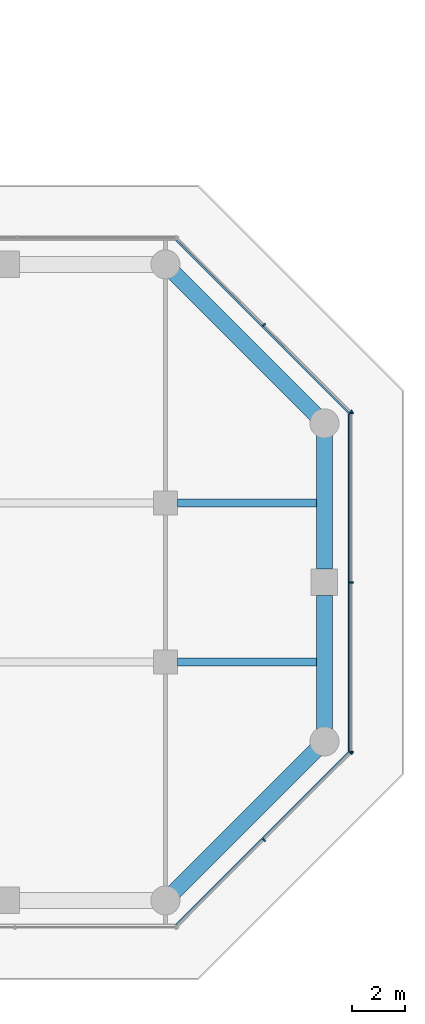
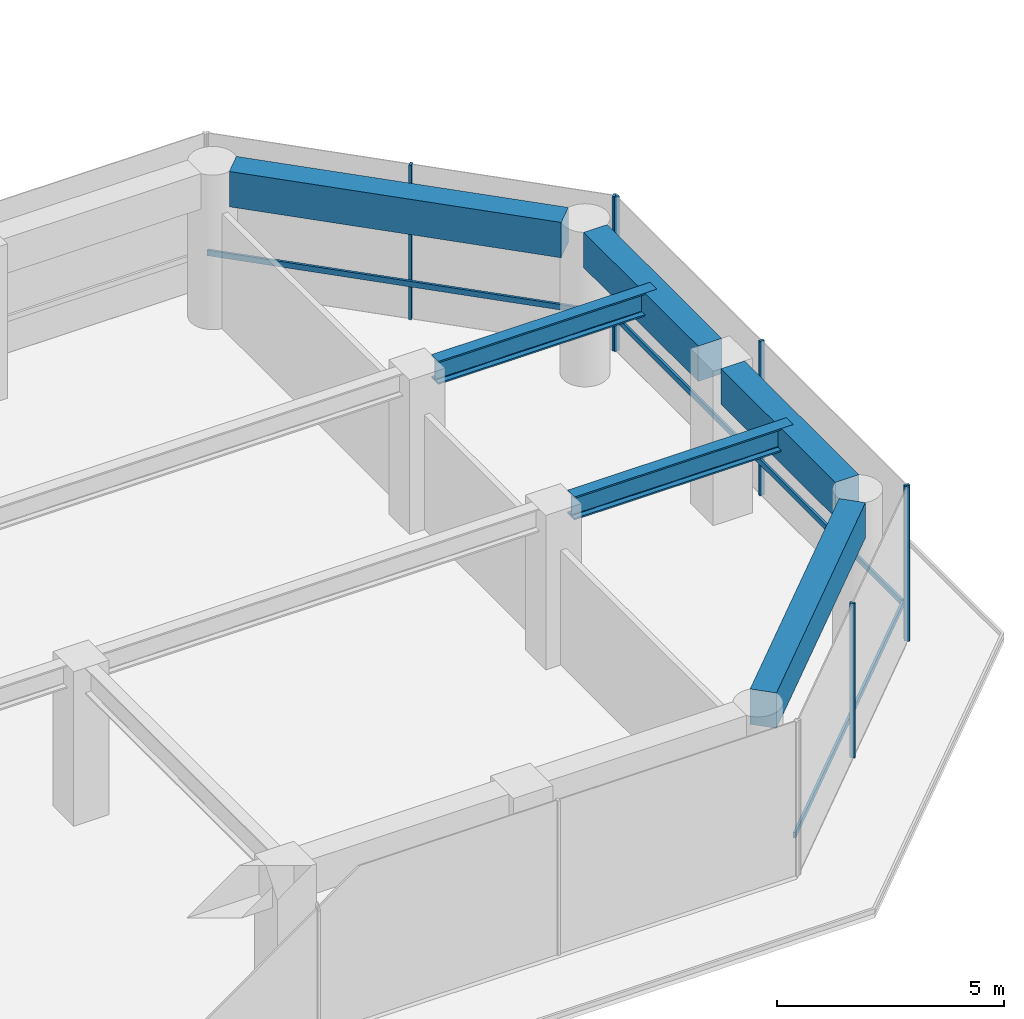
# One storey, part 18 of 24: 10 members, 6 beams, 3 elements without a shape of their own.
"""IFC4 building model written with IfcOpenShell, lengths in metres."""

from ifc_helpers import new_model, si_unit, direction, frame, origin, origin_2d, place, context, subcontext, project, spatial, rectangle, i_section, extrude, material, layer, layer_set, material_profile, profile_set, type_object, element, aggregate, save


model = new_model("IFC4")

# Units and contexts
model_context = context("Model", 3, precision=1e-05, world=origin(), true_north=direction((0.0, 1.0)))
body_context = subcontext(model_context, "Body", "Model", "MODEL_VIEW")
ifc_project = project(units=[si_unit("LENGTHUNIT", "METRE"), si_unit("AREAUNIT", "SQUARE_METRE"), si_unit("VOLUMEUNIT", "CUBIC_METRE"), si_unit("PLANEANGLEUNIT", "RADIAN"), si_unit("MASSUNIT", "GRAM", prefix="KILO")], contexts=[model_context])

# Site, building, storey
site_placement = place(None, origin())
site = spatial("IfcSite", under=ifc_project, at=site_placement, CompositionType="ELEMENT")
building_placement = place(site_placement, origin())
building = spatial("IfcBuilding", under=site, at=building_placement, Name="Welwitschia Terrace Campus", CompositionType="ELEMENT")
storey_placement = place(building_placement, frame((0.0, 0.0, 24.5)))
storey = spatial("IfcBuildingStorey", under=building, at=storey_placement, Name="L05", CompositionType="ELEMENT", Elevation=24.5)

# Beams
ifc_material_1 = material(Name="Steel S355", Category="steel")
ifc_material_profile_1 = material_profile(ifc_material_1, i_section(OverallWidth=0.304931640625, OverallDepth=0.6201171875, WebThickness=0.02099609375, FlangeThickness=0.0400390625, FilletRadius=0.027099609375, at=origin_2d()))
ifc_profile_set_1 = profile_set([ifc_material_profile_1], Name="Steel S355")
beam_type_1 = type_object("IfcBeamType", Name="Interior girder HE 600 M", PredefinedType="BEAM", material=ifc_profile_set_1)
for number, where, z_axis, x_axis, name in (
    (1, (60.450439453125, 5.0, 3.840087890625), (1.0, 0.0, 0.0), (0.0, 1.0, 0.0), "Girder GB1"),
    (2, (60.450439453125, 11.0, 3.840087890625), (1.0, 0.0, 0.0), (0.0, 1.0, 0.0), "Girder GB1"),
):
    element("IfcBeam", number, at=place(storey_placement, frame(where, z_axis=z_axis, x_axis=x_axis)), inside=storey, type_object=beam_type_1, Name=name, PredefinedType="BEAM", context=body_context, shape_type="SweptSolid", body=[
        extrude(i_section(OverallWidth=0.304931640625, OverallDepth=0.6201171875, WebThickness=0.02099609375, FlangeThickness=0.0400390625, FilletRadius=0.027099609375, at=origin_2d()), origin(), (0.0, 0.0, 1.0), 5.5595703125),
    ])

# Curtain wall, members
ifc_material_2 = material(Name="Bronze anodised aluminium", Category="aluminium")
ifc_layer = layer(ifc_material_2, 0.1201171875)
ifc_layer_set = layer_set([ifc_layer], Name="Bronze anodised aluminium")
curtain_wall_type = type_object("IfcCurtainWallType", Name="Curtain wall CW2 tower 6000", PredefinedType="NOTDEFINED", material=ifc_layer_set)
curtain_wall_1_placement = place(storey_placement, origin())
curtain_wall_1 = element("IfcCurtainWall", 3, at=curtain_wall_1_placement, inside=storey, type_object=curtain_wall_type, Name="CW L05.2.0", PredefinedType="NOTDEFINED")
ifc_material_3 = material(Name="Bronze anodised aluminium", Category="aluminium")
ifc_material_profile_2 = material_profile(ifc_material_3, rectangle(XDim=0.1201171875, YDim=0.06005859375, at=origin_2d()))
ifc_profile_set_2 = profile_set([ifc_material_profile_2], Name="Bronze anodised aluminium")
member_type_1 = type_object("IfcMemberType", Name="Mullion 60x120", PredefinedType="MULLION", material=ifc_profile_set_2)
member_1_placement = place(storey_placement, frame((63.72119140625, -1.72119140625, 0.0), z_axis=(0.0, 0.0, 1.0), x_axis=(-0.707106781187, 0.707106781187, 0.0)))
member_1 = element("IfcMember", 4, at=member_1_placement, type_object=member_type_1, Name="Mullion L05.2.0.1", PredefinedType="MULLION", context=body_context, shape_type="SweptSolid", body=[
    extrude(rectangle(XDim=0.1201171875, YDim=0.06005859375, at=origin_2d()), origin(), (0.0, 0.0, 1.0), 4.14990234375),
])
member_2_placement = place(storey_placement, frame((66.998779296875, 1.556396484375, 0.0), z_axis=(0.0, 0.0, 1.0), x_axis=(-0.707106781187, 0.707106781187, 0.0)))
member_2 = element("IfcMember", 5, at=member_2_placement, type_object=member_type_1, Name="Mullion L05.2.0.2", PredefinedType="MULLION", context=body_context, shape_type="SweptSolid", body=[
    extrude(rectangle(XDim=0.1201171875, YDim=0.06005859375, at=origin_2d()), origin(), (0.0, 0.0, 1.0), 4.14990234375),
])

curtain_wall_2_placement = place(storey_placement, origin())
curtain_wall_2 = element("IfcCurtainWall", 6, at=curtain_wall_2_placement, inside=storey, type_object=curtain_wall_type, Name="CW L05.3.0", PredefinedType="NOTDEFINED")
member_3_placement = place(storey_placement, frame((67.02001953125, 1.607421875, 0.0), z_axis=(0.0, 0.0, 1.0), x_axis=(-1.0, 0.0, 0.0)))
member_3 = element("IfcMember", 7, at=member_3_placement, type_object=member_type_1, Name="Mullion L05.3.0.0", PredefinedType="MULLION", context=body_context, shape_type="SweptSolid", body=[
    extrude(rectangle(XDim=0.1201171875, YDim=0.06005859375, at=origin_2d()), origin(), (0.0, 0.0, 1.0), 4.14990234375),
])
member_4_placement = place(storey_placement, frame((67.02001953125, 8.0, 0.0), z_axis=(0.0, 0.0, 1.0), x_axis=(-1.0, 0.0, 0.0)))
member_4 = element("IfcMember", 8, at=member_4_placement, type_object=member_type_1, Name="Mullion L05.3.0.1", PredefinedType="MULLION", context=body_context, shape_type="SweptSolid", body=[
    extrude(rectangle(XDim=0.1201171875, YDim=0.06005859375, at=origin_2d()), origin(), (0.0, 0.0, 1.0), 4.14990234375),
])
member_5_placement = place(storey_placement, frame((67.02001953125, 14.392578125, 0.0), z_axis=(0.0, 0.0, 1.0), x_axis=(-1.0, 0.0, 0.0)))
member_5 = element("IfcMember", 9, at=member_5_placement, type_object=member_type_1, Name="Mullion L05.3.0.2", PredefinedType="MULLION", context=body_context, shape_type="SweptSolid", body=[
    extrude(rectangle(XDim=0.1201171875, YDim=0.06005859375, at=origin_2d()), origin(), (0.0, 0.0, 1.0), 4.14990234375),
])

curtain_wall_3_placement = place(storey_placement, origin())
curtain_wall_3 = element("IfcCurtainWall", 10, at=curtain_wall_3_placement, inside=storey, type_object=curtain_wall_type, Name="CW L05.4.0", PredefinedType="NOTDEFINED")
member_6_placement = place(storey_placement, frame((66.998779296875, 14.443603515625, 0.0), z_axis=(0.0, 0.0, 1.0), x_axis=(-0.707106781187, -0.707106781187, 0.0)))
member_6 = element("IfcMember", 11, at=member_6_placement, type_object=member_type_1, Name="Mullion L05.4.0.0", PredefinedType="MULLION", context=body_context, shape_type="SweptSolid", body=[
    extrude(rectangle(XDim=0.1201171875, YDim=0.06005859375, at=origin_2d()), origin(), (0.0, 0.0, 1.0), 4.14990234375),
])
member_7_placement = place(storey_placement, frame((63.72119140625, 17.72119140625, 0.0), z_axis=(0.0, 0.0, 1.0), x_axis=(-0.707106781187, -0.707106781187, 0.0)))
member_7 = element("IfcMember", 12, at=member_7_placement, type_object=member_type_1, Name="Mullion L05.4.0.1", PredefinedType="MULLION", context=body_context, shape_type="SweptSolid", body=[
    extrude(rectangle(XDim=0.1201171875, YDim=0.06005859375, at=origin_2d()), origin(), (0.0, 0.0, 1.0), 4.14990234375),
])

# Beams
ifc_material_4 = material(Name="Concrete C60/75", Category="concrete")
ifc_material_profile_3 = material_profile(ifc_material_4, rectangle(XDim=0.60009765625, YDim=0.949951171875, at=origin_2d()))
ifc_profile_set_3 = profile_set([ifc_material_profile_3], Name="Concrete C60/75")
beam_type_2 = type_object("IfcBeamType", Name="Ring spandrel 600x950", PredefinedType="SPANDREL", material=ifc_profile_set_3)
beam_1_placement = place(storey_placement, frame((60.326416015625, -3.673583984375, 3.675048828125), z_axis=(0.707106781187, 0.707106781187, 0.0), x_axis=(-0.707106781187, 0.707106781187, 0.0)))
element("IfcBeam", 13, at=beam_1_placement, inside=storey, type_object=beam_type_2, Name="Spandrel SP1", PredefinedType="SPANDREL", context=body_context, shape_type="SweptSolid", body=[
    extrude(rectangle(XDim=0.60009765625, YDim=0.949951171875, at=origin_2d()), origin(), (0.0, 0.0, 1.0), 7.56201171875),
])
for number, where, z_axis, x_axis, name in (
    (14, (66.0, 2.46142578125, 3.675048828125), (0.0, 1.0, 0.0), (-1.0, 0.0, 0.0), "Spandrel SP1"),
    (15, (66.0, 8.50048828125, 3.675048828125), (0.0, 1.0, 0.0), (-1.0, 0.0, 0.0), "Spandrel SP1"),
):
    element("IfcBeam", number, at=place(storey_placement, frame(where, z_axis=z_axis, x_axis=x_axis)), inside=storey, type_object=beam_type_2, Name=name, PredefinedType="SPANDREL", context=body_context, shape_type="SweptSolid", body=[
        extrude(rectangle(XDim=0.60009765625, YDim=0.949951171875, at=origin_2d()), origin(), (0.0, 0.0, 1.0), 5.0380859375),
    ])
beam_2_placement = place(storey_placement, frame((65.673583984375, 14.326416015625, 3.675048828125), z_axis=(-0.707106781187, 0.707106781187, 0.0), x_axis=(-0.707106781187, -0.707106781187, 0.0)))
element("IfcBeam", 16, at=beam_2_placement, inside=storey, type_object=beam_type_2, Name="Spandrel SP1", PredefinedType="SPANDREL", context=body_context, shape_type="SweptSolid", body=[
    extrude(rectangle(XDim=0.60009765625, YDim=0.949951171875, at=origin_2d()), origin(), (0.0, 0.0, 1.0), 7.56201171875),
])

# Member
ifc_material_5 = material(Name="Bronze anodised aluminium", Category="aluminium")
ifc_material_profile_4 = material_profile(ifc_material_5, rectangle(XDim=0.06005859375, YDim=0.14990234375, at=origin_2d()))
ifc_profile_set_4 = profile_set([ifc_material_profile_4], Name="Bronze anodised aluminium")
member_type_2 = type_object("IfcMemberType", Name="Transom 60x150", PredefinedType="USERDEFINED", material=ifc_profile_set_4)
member_8_placement = place(storey_placement, frame((60.4013671875, -4.913818359375, 1.0), z_axis=(0.707106781187, 0.707106781187, 0.0), x_axis=(-0.707106781187, 0.707106781187, 0.0)))
member_8 = element("IfcMember", 17, at=member_8_placement, type_object=member_type_2, Name="Transom L05.2.0", ObjectType="TRANSOM", PredefinedType="USERDEFINED", context=body_context, shape_type="SweptSolid", body=[
    extrude(rectangle(XDim=0.06005859375, YDim=0.14990234375, at=origin_2d()), origin(), (0.0, 0.0, 1.0), 9.2099609375),
])

aggregate(curtain_wall_1, [member_1, member_2, member_8])

member_9_placement = place(storey_placement, frame((66.929931640625, 1.637451171875, 1.0), z_axis=(0.0, 1.0, 0.0), x_axis=(-1.0, 0.0, 0.0)))
member_9 = element("IfcMember", 18, at=member_9_placement, type_object=member_type_2, Name="Transom L05.3.0", ObjectType="TRANSOM", PredefinedType="USERDEFINED", context=body_context, shape_type="SweptSolid", body=[
    extrude(rectangle(XDim=0.06005859375, YDim=0.14990234375, at=origin_2d()), origin(), (0.0, 0.0, 1.0), 12.72509765625),
])

aggregate(curtain_wall_2, [member_3, member_4, member_5, member_9])

member_10_placement = place(storey_placement, frame((66.913818359375, 14.4013671875, 1.0), z_axis=(-0.707106781187, 0.707106781187, 0.0), x_axis=(-0.707106781187, -0.707106781187, 0.0)))
member_10 = element("IfcMember", 19, at=member_10_placement, type_object=member_type_2, Name="Transom L05.4.0", ObjectType="TRANSOM", PredefinedType="USERDEFINED", context=body_context, shape_type="SweptSolid", body=[
    extrude(rectangle(XDim=0.06005859375, YDim=0.14990234375, at=origin_2d()), origin(), (0.0, 0.0, 1.0), 9.2099609375),
])

aggregate(curtain_wall_3, [member_6, member_7, member_10])

save(model, "model.ifc")
